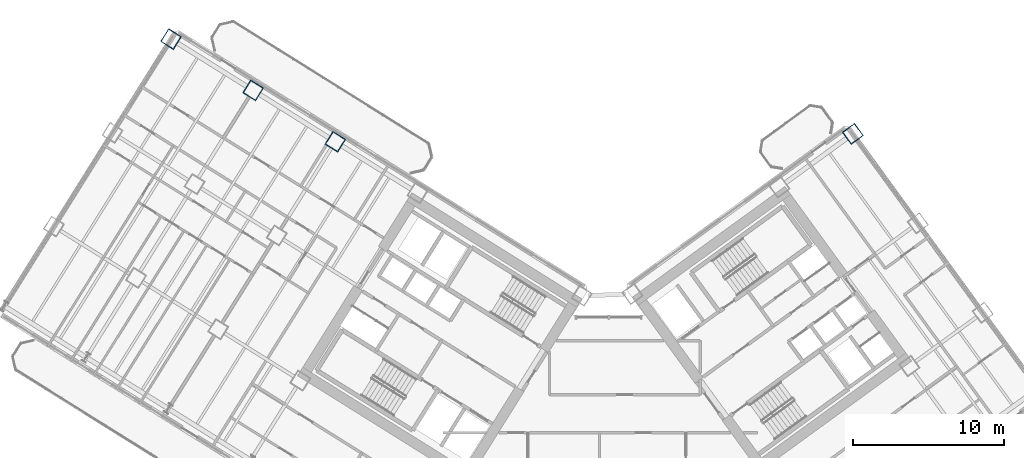
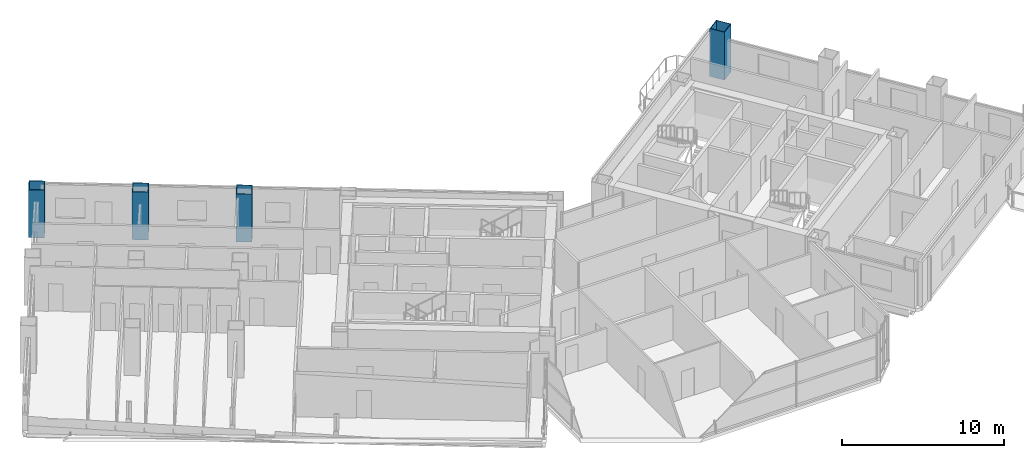
# One storey, part 3 of 28: 4 columns.
"""IFC4 building model written with IfcOpenShell, lengths in metres."""

import ifcopenshell
import ifcopenshell.guid

model = None  # the IFC model being written
_history = None  # IfcOwnerHistory: only IFC2X3 demands one
_inside = {}  # id of a spatial element -> (the spatial element, [elements in it])
_under = {}  # id of a project, library or spatial element -> (it, [spatial elements below it])
_declared = {}  # id of a project -> (the project, [libraries it declares])
_typed = {}  # id of a type object -> (the type object, [elements of that type])
_made_of = {}  # id of a material, layer set ... -> (it, [elements and type objects made of it])


def new_model(schema):
    """Start an empty IFC model of exactly this schema.

    Asked for "IFC4X3", IfcOpenShell would pick the latest addendum, in which some entities
    have other attributes; the version numbers below select the first issue.
    IFC2X3 requires an IfcOwnerHistory on every rooted entity: one is made here for all.
    """
    global model, _history
    if schema == "IFC4X3":
        model = ifcopenshell.file(schema_version=(4, 3, 0, 0))
    else:
        model = ifcopenshell.file(schema=schema)
    _inside.clear()
    _under.clear()
    _declared.clear()
    _typed.clear()
    _made_of.clear()
    _history = None
    if model.schema == "IFC2X3":
        org = make("IfcOrganization", Name="unknown")
        user = make(
            "IfcPersonAndOrganization",
            ThePerson=make("IfcPerson", FamilyName="unknown"),
            TheOrganization=org,
        )
        app = make(
            "IfcApplication",
            ApplicationDeveloper=org,
            Version="unknown",
            ApplicationFullName="unknown",
            ApplicationIdentifier="unknown",
        )
        _history = make(
            "IfcOwnerHistory",
            OwningUser=user,
            OwningApplication=app,
            ChangeAction="ADDED",
            CreationDate=0,
        )
    return model


def make(cls, **values):
    """One entity of the class cls with the attributes given. An attribute that is None is left unset."""
    return model.create_entity(
        cls, **{name: value for name, value in values.items() if value is not None}
    )


def rooted(cls, **values):
    """An entity with a GlobalId (a new one), such as an element, a storey or a relation."""
    return make(cls, GlobalId=ifcopenshell.guid.new(), OwnerHistory=_history, **values)


def si_unit(unit_type, name, prefix=None):
    """IfcSIUnit, for example si_unit("LENGTHUNIT", "METRE", prefix="MILLI")."""
    return make("IfcSIUnit", UnitType=unit_type, Prefix=prefix, Name=name)


def assignment(units):
    """IfcUnitAssignment: the units of a project."""
    return None if units is None else make("IfcUnitAssignment", Units=units)


def point(xyz):
    """IfcCartesianPoint."""
    return None if xyz is None else make("IfcCartesianPoint", Coordinates=xyz)


def direction(xyz):
    """IfcDirection."""
    return None if xyz is None else make("IfcDirection", DirectionRatios=xyz)


def frame(location, z_axis=None, x_axis=None):
    """IfcAxis2Placement3D, a coordinate frame: its origin and axes. An axis left out is left unset."""
    return make(
        "IfcAxis2Placement3D",
        Location=point(location),
        Axis=direction(z_axis),
        RefDirection=direction(x_axis),
    )


def frame_2d(location, x_axis=None):
    """IfcAxis2Placement2D, a coordinate frame in the plane: its origin and x axis."""
    return make(
        "IfcAxis2Placement2D", Location=point(location), RefDirection=direction(x_axis)
    )


def origin():
    """The frame at (0, 0, 0) with its axes left unset."""
    return frame((0.0, 0.0, 0.0))


def origin_2d():
    """The frame at (0, 0) in the plane with its x axis left unset."""
    return frame_2d((0.0, 0.0))


def place(relative_to, where):
    """IfcLocalPlacement: puts the frame where relative to a parent placement (None: the world)."""
    return make(
        "IfcLocalPlacement", PlacementRelTo=relative_to, RelativePlacement=where
    )


def context(
    kind, dimensions, precision=None, world=None, true_north=None, identifier=None
):
    """IfcGeometricRepresentationContext, for example the 3D "Model" context."""
    return make(
        "IfcGeometricRepresentationContext",
        ContextIdentifier=identifier,
        ContextType=kind,
        CoordinateSpaceDimension=dimensions,
        Precision=precision,
        WorldCoordinateSystem=world,
        TrueNorth=true_north,
    )


def subcontext(parent, identifier, kind, view, scale=None):
    """IfcGeometricRepresentationSubContext, for example "Body" below "Model"."""
    return make(
        "IfcGeometricRepresentationSubContext",
        ContextIdentifier=identifier,
        ContextType=kind,
        ParentContext=parent,
        TargetScale=scale,
        TargetView=view,
    )


def project(units=None, contexts=None):
    """IfcProject with its units and contexts."""
    return rooted(
        "IfcProject",
        Name="project",
        RepresentationContexts=contexts,
        UnitsInContext=assignment(units),
    )


def spatial(cls, under=None, at=None, **own):
    """A site, building, storey or space (cls), placed at a placement, below another one or the project."""
    s = rooted(cls, ObjectPlacement=at, **own)
    if under is not None:
        _under.setdefault(under.id(), (under, []))[1].append(s)
    return s


def profile(cls, at=None, kind="AREA", **sizes):
    """A parametric profile (cls). Its sizes go by their IFC names, for example OverallWidth=200.0."""
    return make(cls, ProfileType=kind, Position=at, **sizes)


def hollow_rectangle(**sizes):
    """IfcRectangleHollowProfileDef."""
    return profile("IfcRectangleHollowProfileDef", **sizes)


def extrude(swept, where, along, depth):
    """IfcExtrudedAreaSolid: the profile swept, set in the frame where, extruded along a direction by depth."""
    return make(
        "IfcExtrudedAreaSolid",
        SweptArea=swept,
        Position=where,
        ExtrudedDirection=direction(along),
        Depth=depth,
    )


def shape(context_of_items, identifier, shape_type, items):
    """IfcShapeRepresentation: the items that make up one representation, for example the "Body"."""
    return make(
        "IfcShapeRepresentation",
        ContextOfItems=context_of_items,
        RepresentationIdentifier=identifier,
        RepresentationType=shape_type,
        Items=items,
    )


def source(mapping_origin, context_of_items, identifier, shape_type, items):
    """IfcRepresentationMap: a shape defined once, which mapped items show again and again."""
    return make(
        "IfcRepresentationMap",
        MappingOrigin=mapping_origin,
        MappedRepresentation=shape(context_of_items, identifier, shape_type, items),
    )


def transform(
    local_origin,
    x_axis=None,
    y_axis=None,
    z_axis=None,
    scale=None,
    scale2=None,
    scale3=None,
    uniform=True,
):
    """IfcCartesianTransformationOperator3D, or its non-uniform kind. x_axis, y_axis, z_axis: its Axis1, 2, 3."""
    if uniform:
        return make(
            "IfcCartesianTransformationOperator3D",
            Axis1=direction(x_axis),
            Axis2=direction(y_axis),
            LocalOrigin=point(local_origin),
            Scale=scale,
            Axis3=direction(z_axis),
        )
    return make(
        "IfcCartesianTransformationOperator3DnonUniform",
        Axis1=direction(x_axis),
        Axis2=direction(y_axis),
        LocalOrigin=point(local_origin),
        Scale=scale,
        Axis3=direction(z_axis),
        Scale2=scale2,
        Scale3=scale3,
    )


def mapped(mapping_source, mapping_target):
    """IfcMappedItem: shows the shape of a source again, moved by a transform."""
    return make(
        "IfcMappedItem", MappingSource=mapping_source, MappingTarget=mapping_target
    )


def material(Name=None, Category=None):
    """IfcMaterial."""
    return make("IfcMaterial", Name=Name, Category=Category)


def material_profile(
    of_material, cross_section, Name=None, Category=None, Priority=None
):
    """IfcMaterialProfile: a cross section and its material."""
    return make(
        "IfcMaterialProfile",
        Name=Name,
        Material=of_material,
        Profile=cross_section,
        Priority=Priority,
        Category=Category,
    )


def profile_set(profiles, Name=None, composite=None):
    """IfcMaterialProfileSet."""
    return make(
        "IfcMaterialProfileSet",
        Name=Name,
        MaterialProfiles=profiles,
        CompositeProfile=composite,
    )


def made_of(thing, what):
    """Note that an element or type object is made of a material, layer set ...; save() writes the relation."""
    if what is not None:
        _made_of.setdefault(what.id(), (what, []))[1].append(thing)
    return thing


def type_object(cls, material=None, **own):
    """A type object (cls), such as IfcWallType, which elements share."""
    return made_of(rooted(cls, **own), material)


def element(
    cls,
    number,
    at=None,
    inside=None,
    cuts=None,
    type_object=None,
    material=None,
    context=None,
    identifier="Body",
    shape_type=None,
    held_by="IfcProductDefinitionShape",
    body=None,
    shapes=None,
    **own,
):
    """One element of the class cls, such as IfcWall. Its Tag is "e" and its number.

    at: its placement. inside: the storey or other place that contains it. cuts: it is an
    opening in that element (IfcRelVoidsElement). A single representation is given by context,
    identifier, shape_type and body (its items); several are given by shapes. held_by: the class
    of the entity that holds the representations. save() writes the other relations.
    """
    e = rooted(cls, Tag="e%d" % number, ObjectPlacement=at, **own)
    if body is not None:
        shapes = [shape(context, identifier, shape_type, body)]
    if shapes is not None:
        e.Representation = make(held_by, Representations=shapes)
    if inside is not None:
        _inside.setdefault(inside.id(), (inside, []))[1].append(e)
    if cuts is not None:
        rooted(
            "IfcRelVoidsElement", RelatingBuildingElement=cuts, RelatedOpeningElement=e
        )
    if type_object is not None:
        _typed.setdefault(type_object.id(), (type_object, []))[1].append(e)
    return made_of(e, material)


def aggregate(whole, parts):
    """IfcRelAggregates: a whole, such as a stair, and the parts it consists of."""
    return rooted("IfcRelAggregates", RelatingObject=whole, RelatedObjects=parts)


def save(model, path):
    """Write the relations noted so far, then the file.

    IfcRelAggregates (storeys below a building ...), IfcRelContainedInSpatialStructure (elements
    in a storey), IfcRelDefinesByType, IfcRelAssociatesMaterial and IfcRelDeclares: one each for
    every whole, place, type object, material and project.
    """
    for whole, parts in _under.values():
        aggregate(whole, parts)
    for where, things in _inside.values():
        rooted(
            "IfcRelContainedInSpatialStructure",
            RelatedElements=things,
            RelatingStructure=where,
        )
    for kind, things in _typed.values():
        rooted("IfcRelDefinesByType", RelatedObjects=things, RelatingType=kind)
    for what, things in _made_of.values():
        rooted("IfcRelAssociatesMaterial", RelatedObjects=things, RelatingMaterial=what)
    for by, libraries in _declared.values():
        rooted("IfcRelDeclares", RelatingContext=by, RelatedDefinitions=libraries)
    model.write(path)


model = new_model("IFC4")

# Units and contexts
model_context = context("Model", 3, precision=1e-05, world=origin(), true_north=direction((0.0, 1.0)))
body_context = subcontext(model_context, "Body", "Model", "MODEL_VIEW")
ifc_project = project(units=[si_unit("LENGTHUNIT", "METRE"), si_unit("AREAUNIT", "SQUARE_METRE"), si_unit("VOLUMEUNIT", "CUBIC_METRE"), si_unit("PLANEANGLEUNIT", "RADIAN"), si_unit("MASSUNIT", "GRAM", prefix="KILO")], contexts=[model_context])

# Site, building, storey
site_placement = place(None, origin())
site = spatial("IfcSite", under=ifc_project, at=site_placement, CompositionType="ELEMENT")
building_placement = place(site_placement, origin())
building = spatial("IfcBuilding", under=site, at=building_placement, Name="Tlacorven Tower", CompositionType="ELEMENT")
storey_placement = place(building_placement, frame((0.0, 0.0, 27.60009765625)))
storey = spatial("IfcBuildingStorey", under=building, at=storey_placement, Name="L06", CompositionType="ELEMENT", Elevation=27.60009765625)

# Columns
ifc_material = material(Name="Steel S460M", Category="steel")
ifc_material_profile = material_profile(ifc_material, hollow_rectangle(XDim=1.0, YDim=1.0, WallThickness=0.0400390625, at=origin_2d()), Name="BOX 1000X1000X40")
ifc_profile_set = profile_set([ifc_material_profile], Name="Steel S460M")
column_type = type_object("IfcColumnType", Name="COL-TWR-S1", PredefinedType="COLUMN", material=ifc_profile_set)
shared_shape = source(origin(), body_context, "Body", "SweptSolid", [
    extrude(hollow_rectangle(XDim=1.0, YDim=1.0, WallThickness=0.0400390625, at=origin_2d()), origin(), (0.0, 0.0, 1.0), 3.599853515625),
])
for number, where, z_axis, x_axis, name in (
    (1, (24.50048828125, 34.642822265625, 0.0), (0.0, 0.0, 1.0), (-0.848048096156, 0.529919264233, 0.0), "L06 column COL-L06-W4-1"),
    (2, (19.072998046875, 38.034423828125, 0.0), (0.0, 0.0, 1.0), (-0.848048096156, 0.529919264233, 0.0), "L06 column COL-L06-W5-1"),
    (3, (13.6455078125, 41.42578125, 0.0), (0.0, 0.0, 1.0), (-0.848048096156, 0.529919264233, 0.0), "L06 column COL-L06-W6-1"),
    (4, (58.68603515625, 35.165283203125, 0.0), (0.0, 0.0, 1.0), (0.809016994375, 0.587785252292, 0.0), "L06 column COL-L06-E4-4"),
):
    element("IfcColumn", number, at=place(storey_placement, frame(where, z_axis=z_axis, x_axis=x_axis)), inside=storey, type_object=column_type, Name=name, PredefinedType="COLUMN", context=body_context, shape_type="MappedRepresentation", body=[
        mapped(shared_shape, transform((0.0, 0.0, 0.0), scale=1.0)),
    ])

save(model, "model.ifc")
